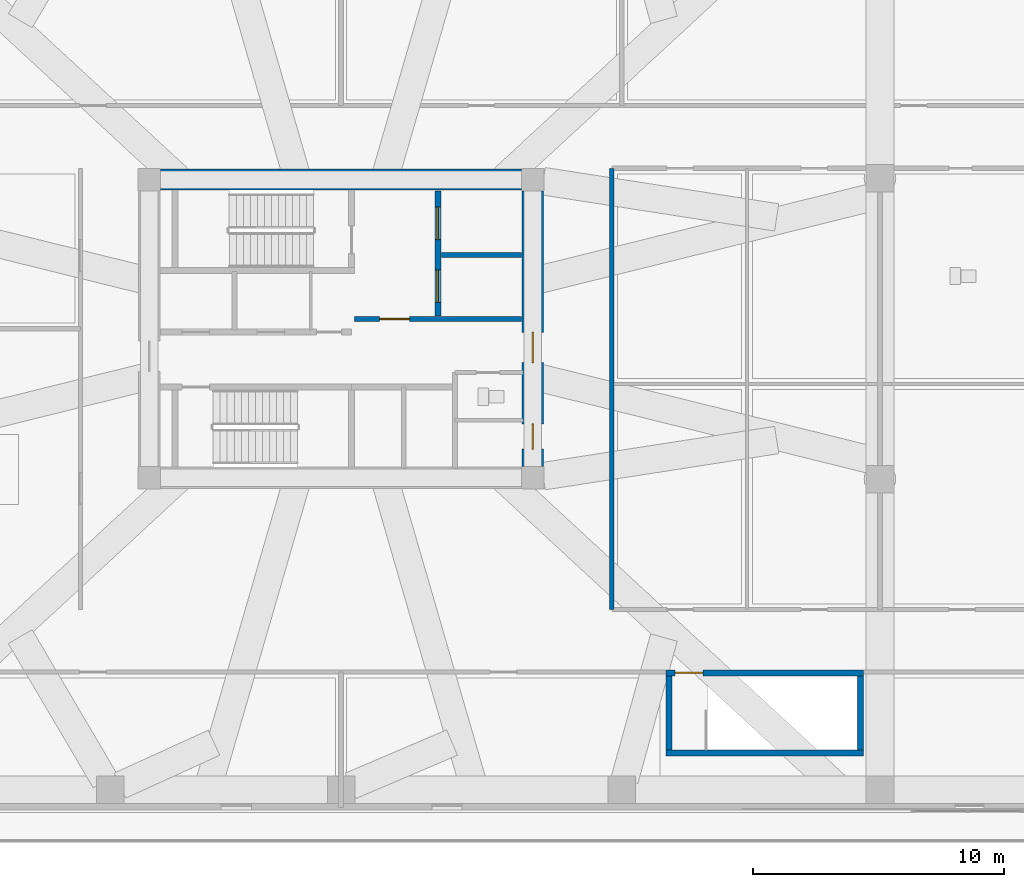
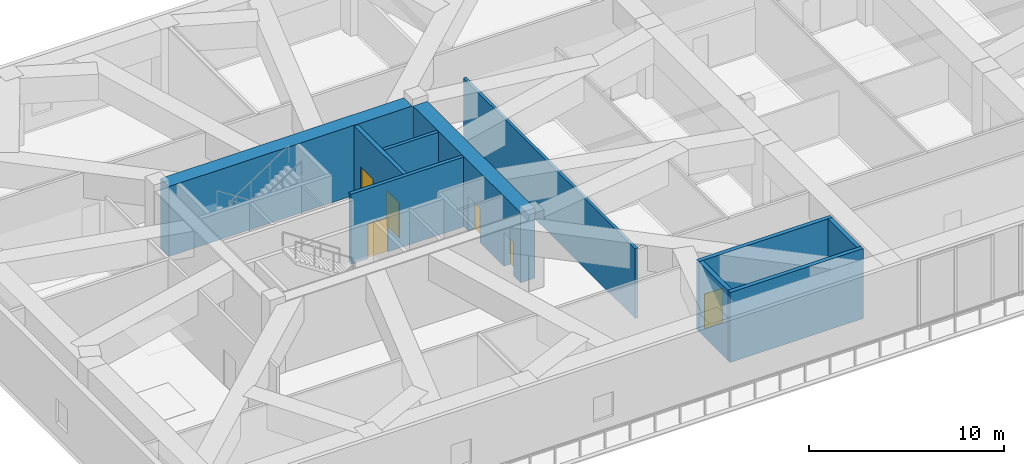
# One storey, part 6 of 21: 10 walls, 6 doors, 6 openings.
"""IFC4 building model written with IfcOpenShell, lengths in metres."""

from ifc_helpers import new_model, si_unit, direction, frame, frame_2d, origin, place, context, subcontext, project, spatial, rectangle, extrude, source, transform, mapped, material, layer, layer_set, type_object, type_shapes, element, fill, save


model = new_model("IFC4")

# Units and contexts
model_context = context("Model", 3, precision=1e-05, world=origin(), true_north=direction((0.0, 1.0)))
body_context = subcontext(model_context, "Body", "Model", "MODEL_VIEW")
ifc_project = project(units=[si_unit("LENGTHUNIT", "METRE"), si_unit("AREAUNIT", "SQUARE_METRE"), si_unit("VOLUMEUNIT", "CUBIC_METRE"), si_unit("PLANEANGLEUNIT", "RADIAN"), si_unit("MASSUNIT", "GRAM", prefix="KILO")], contexts=[model_context])

# Site, building, storey
site_placement = place(None, origin())
site = spatial("IfcSite", under=ifc_project, at=site_placement, CompositionType="ELEMENT")
building_placement = place(site_placement, origin())
building = spatial("IfcBuilding", under=site, at=building_placement, Name="Norrkilde Senior Care Towers", CompositionType="ELEMENT")
storey_placement = place(building_placement, frame((0.0, 0.0, 16.800048828125)))
storey = spatial("IfcBuildingStorey", under=building, at=storey_placement, Name="L04", CompositionType="ELEMENT", Elevation=16.800048828125)

# Wall
ifc_material_1 = material(Name="Concrete C60/75", Category="concrete")
ifc_layer_1 = layer(ifc_material_1, 0.85009765625)
ifc_layer_set_1 = layer_set([ifc_layer_1], Name="Concrete C60/75")
wall_type_1 = type_object("IfcWallType", Name="Core Shear Wall Z1 850", PredefinedType="SHEAR", material=ifc_layer_set_1)
shared_shape_1 = source(origin(), body_context, "Body", "SweptSolid", [
    extrude(rectangle(XDim=14.39990234375, YDim=0.85009765625, at=frame_2d((7.199951171875, 0.0))), origin(), (0.0, 0.0, 1.0), 4.3798828125),
])
wall_1_placement = place(storey_placement, frame((-35.199951171875, 5.949951171875, 0.0), z_axis=(0.0, 0.0, 1.0), x_axis=(1.0, 0.0, 0.0)))
element("IfcWall", 1, at=wall_1_placement, inside=storey, type_object=wall_type_1, Name="L04 Core W North Shear Wall", PredefinedType="SHEAR", context=body_context, shape_type="MappedRepresentation", body=[
    mapped(shared_shape_1, transform((0.0, 0.0, 0.0), x_axis=(1.0, 0.0, 0.0), y_axis=(0.0, 1.0, 0.0), z_axis=(0.0, 0.0, 1.0), scale=1.0)),
])

# Wall, openings, doors
shared_shape_2 = source(origin(), body_context, "Body", "SweptSolid", [
    extrude(rectangle(XDim=11.0, YDim=0.85009765625, at=frame_2d((5.5, 0.0))), origin(), (0.0, 0.0, 1.0), 4.3798828125),
])
type_shapes(wall_type_1, [shared_shape_1, shared_shape_2])
wall_2_placement = place(storey_placement, frame((-20.35009765625, 5.5, 0.0), z_axis=(0.0, 0.0, 1.0), x_axis=(0.0, -1.0, 0.0)))
wall_2 = element("IfcWall", 2, at=wall_2_placement, inside=storey, type_object=wall_type_1, Name="L04 Core W East Shear Wall", PredefinedType="SHEAR", context=body_context, shape_type="MappedRepresentation", body=[
    mapped(shared_shape_2, transform((0.0, 0.0, 0.0), x_axis=(1.0, 0.0, 0.0), y_axis=(0.0, 1.0, 0.0), z_axis=(0.0, 0.0, 1.0), scale=1.0)),
])
opening_1_placement = place(wall_2_placement, frame((5.64990234375, 0.0, 0.0)))
opening_1 = element("IfcOpeningElement", 3, at=opening_1_placement, cuts=wall_2, Name="Opening D-04", PredefinedType="OPENING", context=body_context, shape_type="SweptSolid", body=[
    extrude(rectangle(XDim=1.199951171875, YDim=2.14990234375, at=frame_2d((0.60009765625, 1.074951171875))), frame((0.0, 0.43505859375, 0.0), z_axis=(0.0, -1.0, 0.0), x_axis=(1.0, 0.0, 0.0)), (0.0, 0.0, 1.0), 0.8701171875),
])
opening_2_placement = place(wall_2_placement, frame((9.300048828125, 0.0, 0.0)))
opening_2 = element("IfcOpeningElement", 4, at=opening_2_placement, cuts=wall_2, Name="Opening D-10", PredefinedType="OPENING", context=body_context, shape_type="SweptSolid", body=[
    extrude(rectangle(XDim=1.0, YDim=2.10009765625, at=frame_2d((0.5, 1.050048828125))), frame((0.0, 0.43505859375, 0.0), z_axis=(0.0, -1.0, 0.0), x_axis=(1.0, 0.0, 0.0)), (0.0, 0.0, 1.0), 0.8701171875),
])
ifc_material_2 = material(Name="Galvanised Painted Steel", Category="steel")
door_type_1 = type_object("IfcDoorType", Name="Firefighting Lobby Fire Door 1200x2150", OperationType="NOTDEFINED", PredefinedType="DOOR", material=ifc_material_2)
shared_shape_3 = source(origin(), body_context, "Body", "SweptSolid", [
    extrude(rectangle(XDim=1.199951171875, YDim=2.14990234375, at=frame_2d((0.60009765625, 1.074951171875))), frame((0.0, 0.02490234375, 0.0), z_axis=(0.0, -1.0, 0.0), x_axis=(1.0, 0.0, 0.0)), (0.0, 0.0, 1.0), 0.050048828125),
])
type_shapes(door_type_1, [shared_shape_3])
door_1_placement = place(opening_1_placement, frame((1.199951171875, 0.0, 0.0), z_axis=(0.0, 0.0, 1.0), x_axis=(-1.0, 0.0, 0.0)))
door_1 = element("IfcDoor", 5, at=door_1_placement, inside=storey, type_object=door_type_1, Name="L04 Core W East Portal Door", OperationType="SINGLE_SWING_RIGHT", OverallHeight=2.14990234375, OverallWidth=1.199951171875, PredefinedType="DOOR", context=body_context, shape_type="MappedRepresentation", body=[
    mapped(shared_shape_3, transform((0.0, 0.0, 0.0), x_axis=(1.0, 0.0, 0.0), y_axis=(0.0, 1.0, 0.0), z_axis=(0.0, 0.0, 1.0), scale=1.0)),
])
fill(opening_1, door_1)
door_type_2 = type_object("IfcDoorType", Name="Plant and Riser Rated Door 1000x2100", OperationType="NOTDEFINED", PredefinedType="DOOR", material=ifc_material_2)
shared_shape_4 = source(origin(), body_context, "Body", "SweptSolid", [
    extrude(rectangle(XDim=1.0, YDim=2.10009765625, at=frame_2d((0.5, 1.050048828125))), frame((0.0, 0.02490234375, 0.0), z_axis=(0.0, -1.0, 0.0), x_axis=(1.0, 0.0, 0.0)), (0.0, 0.0, 1.0), 0.050048828125),
])
type_shapes(door_type_2, [shared_shape_4])
door_2_placement = place(opening_2_placement, frame((1.0, 0.0, 0.0), z_axis=(0.0, 0.0, 1.0), x_axis=(-1.0, 0.0, 0.0)))
door_2 = element("IfcDoor", 6, at=door_2_placement, inside=storey, type_object=door_type_2, Name="L04 Ventilation Riser W Door", OperationType="SINGLE_SWING_RIGHT", OverallHeight=2.10009765625, OverallWidth=1.0, PredefinedType="DOOR", context=body_context, shape_type="MappedRepresentation", body=[
    mapped(shared_shape_4, transform((0.0, 0.0, 0.0), x_axis=(1.0, 0.0, 0.0), y_axis=(0.0, 1.0, 0.0), z_axis=(0.0, 0.0, 1.0), scale=1.0)),
])
fill(opening_2, door_2)

ifc_material_3 = material(Name="Concrete C45/55", Category="concrete")
ifc_layer_2 = layer(ifc_material_3, 0.239990234375)
ifc_layer_set_2 = layer_set([ifc_layer_2], Name="Concrete C45/55")
wall_type_2 = type_object("IfcWallType", Name="Lift and Plant Rated Enclosure Partition 240", PredefinedType="PARTITIONING", material=ifc_layer_set_2)
shared_shape_5 = source(origin(), body_context, "Body", "SweptSolid", [
    extrude(rectangle(XDim=5.0, YDim=0.239990234375, at=frame_2d((2.5, 0.0))), origin(), (0.0, 0.0, 1.0), 4.364990234375),
])
type_shapes(wall_type_2, [shared_shape_5])
wall_3_placement = place(storey_placement, frame((-24.139892578125, 0.5, 0.0), z_axis=(0.0, 0.0, 1.0), x_axis=(0.0, 1.0, 0.0)))
wall_3 = element("IfcWall", 7, at=wall_3_placement, inside=storey, type_object=wall_type_2, Name="WL-INT-L04-W-FFLE", PredefinedType="PARTITIONING", context=body_context, shape_type="MappedRepresentation", body=[
    mapped(shared_shape_5, transform((0.0, 0.0, 0.0), x_axis=(1.0, 0.0, 0.0), y_axis=(0.0, 1.0, 0.0), z_axis=(0.0, 0.0, 1.0), scale=1.0)),
])
opening_3_placement = place(wall_3_placement, frame((3.050048828125, 0.0, 0.0)))
opening_3 = element("IfcOpeningElement", 8, at=opening_3_placement, cuts=wall_3, Name="Opening LD-02", PredefinedType="OPENING", context=body_context, shape_type="SweptSolid", body=[
    extrude(rectangle(XDim=1.300048828125, YDim=2.199951171875, at=frame_2d((0.64990234375, 1.10009765625))), frame((0.0, 0.1298828125, 0.0), z_axis=(0.0, -1.0, 0.0), x_axis=(1.0, 0.0, 0.0)), (0.0, 0.0, 1.0), 0.260009765625),
])
opening_4_placement = place(wall_3_placement, frame((0.550048828125, 0.0, 0.0)))
opening_4 = element("IfcOpeningElement", 9, at=opening_4_placement, cuts=wall_3, Name="Opening LD-02", PredefinedType="OPENING", context=body_context, shape_type="SweptSolid", body=[
    extrude(rectangle(XDim=1.300048828125, YDim=2.199951171875, at=frame_2d((0.64990234375, 1.10009765625))), frame((0.0, 0.1298828125, 0.0), z_axis=(0.0, -1.0, 0.0), x_axis=(1.0, 0.0, 0.0)), (0.0, 0.0, 1.0), 0.260009765625),
])
ifc_material_4 = material(Name="Stainless Steel", Category="steel")
door_type_3 = type_object("IfcDoorType", Name="Stretcher and FFL Landing Sliding Door 1300x2200", OperationType="NOTDEFINED", PredefinedType="DOOR", material=ifc_material_4)
shared_shape_6 = source(origin(), body_context, "Body", "SweptSolid", [
    extrude(rectangle(XDim=1.300048828125, YDim=2.199951171875, at=frame_2d((0.64990234375, 1.10009765625))), frame((0.0, 0.02490234375, 0.0), z_axis=(0.0, -1.0, 0.0), x_axis=(1.0, 0.0, 0.0)), (0.0, 0.0, 1.0), 0.050048828125),
])
type_shapes(door_type_3, [shared_shape_6])
door_3_placement = place(opening_3_placement, origin())
door_3 = element("IfcDoor", 10, at=door_3_placement, inside=storey, type_object=door_type_3, Name="L04 Firefighting Lift W1 Landing Door", OperationType="SLIDING_TO_LEFT", OverallHeight=2.199951171875, OverallWidth=1.300048828125, PredefinedType="DOOR", context=body_context, shape_type="MappedRepresentation", body=[
    mapped(shared_shape_6, transform((0.0, 0.0, 0.0), x_axis=(1.0, 0.0, 0.0), y_axis=(0.0, 1.0, 0.0), z_axis=(0.0, 0.0, 1.0), scale=1.0)),
])
fill(opening_3, door_3)
door_4_placement = place(opening_4_placement, origin())
door_4 = element("IfcDoor", 11, at=door_4_placement, inside=storey, type_object=door_type_3, Name="L04 Stretcher Lift W1 Landing Door", OperationType="SLIDING_TO_RIGHT", OverallHeight=2.199951171875, OverallWidth=1.300048828125, PredefinedType="DOOR", context=body_context, shape_type="MappedRepresentation", body=[
    mapped(shared_shape_6, transform((0.0, 0.0, 0.0), x_axis=(1.0, 0.0, 0.0), y_axis=(0.0, 1.0, 0.0), z_axis=(0.0, 0.0, 1.0), scale=1.0)),
])
fill(opening_4, door_4)

# Wall
ifc_layer_3 = layer(ifc_material_3, 0.199951171875)
ifc_layer_set_3 = layer_set([ifc_layer_3], Name="Concrete C45/55")
wall_type_3 = type_object("IfcWallType", Name="Shaft Division and Plant Partition 200", PredefinedType="PARTITIONING", material=ifc_layer_set_3)
shared_shape_7 = source(origin(), body_context, "Body", "SweptSolid", [
    extrude(rectangle(XDim=3.199951171875, YDim=0.199951171875, at=frame_2d((1.60009765625, 0.0))), origin(), (0.0, 0.0, 1.0), 4.364990234375),
])
type_shapes(wall_type_3, [shared_shape_7])
wall_4_placement = place(storey_placement, frame((-24.0, 2.949951171875, 0.0), z_axis=(0.0, 0.0, 1.0), x_axis=(1.0, 0.0, 0.0)))
element("IfcWall", 12, at=wall_4_placement, inside=storey, type_object=wall_type_3, Name="WL-INT-L04-W-FFLDIV", PredefinedType="PARTITIONING", context=body_context, shape_type="MappedRepresentation", body=[
    mapped(shared_shape_7, transform((0.0, 0.0, 0.0), x_axis=(1.0, 0.0, 0.0), y_axis=(0.0, 1.0, 0.0), z_axis=(0.0, 0.0, 1.0), scale=1.0)),
])

# Wall, opening, door
ifc_layer_4 = layer(ifc_material_3, 0.2099609375)
ifc_layer_set_4 = layer_set([ifc_layer_4], Name="Concrete C45/55")
wall_type_4 = type_object("IfcWallType", Name="Firefighting Lobby Wall 210", PredefinedType="PARTITIONING", material=ifc_layer_set_4)
shared_shape_8 = source(origin(), body_context, "Body", "SweptSolid", [
    extrude(rectangle(XDim=6.659912109375, YDim=0.2099609375, at=frame_2d((3.330078125, 0.0))), origin(), (0.0, 0.0, 1.0), 4.364990234375),
])
type_shapes(wall_type_4, [shared_shape_8])
wall_5_placement = place(storey_placement, frame((-27.4599609375, 0.389892578125, 0.0), z_axis=(0.0, 0.0, 1.0), x_axis=(1.0, 0.0, 0.0)))
wall_5 = element("IfcWall", 13, at=wall_5_placement, inside=storey, type_object=wall_type_4, Name="WL-INT-L04-W-FFLS", PredefinedType="PARTITIONING", context=body_context, shape_type="MappedRepresentation", body=[
    mapped(shared_shape_8, transform((0.0, 0.0, 0.0), x_axis=(1.0, 0.0, 0.0), y_axis=(0.0, 1.0, 0.0), z_axis=(0.0, 0.0, 1.0), scale=1.0)),
])
opening_5_placement = place(wall_5_placement, frame((1.0, 0.0, 0.0)))
opening_5 = element("IfcOpeningElement", 14, at=opening_5_placement, cuts=wall_5, Name="Opening D-04", PredefinedType="OPENING", context=body_context, shape_type="SweptSolid", body=[
    extrude(rectangle(XDim=1.199951171875, YDim=2.14990234375, at=frame_2d((0.60009765625, 1.074951171875))), frame((0.0, 0.114990234375, 0.0), z_axis=(0.0, -1.0, 0.0), x_axis=(1.0, 0.0, 0.0)), (0.0, 0.0, 1.0), 0.22998046875),
])
door_5_placement = place(opening_5_placement, frame((1.199951171875, 0.0, 0.0), z_axis=(0.0, 0.0, 1.0), x_axis=(-1.0, 0.0, 0.0)))
door_5 = element("IfcDoor", 15, at=door_5_placement, inside=storey, type_object=door_type_1, Name="L04 Firefighting Lobby W Door", OperationType="SINGLE_SWING_LEFT", OverallHeight=2.14990234375, OverallWidth=1.199951171875, PredefinedType="DOOR", context=body_context, shape_type="MappedRepresentation", body=[
    mapped(shared_shape_3, transform((0.0, 0.0, 0.0), x_axis=(1.0, 0.0, 0.0), y_axis=(0.0, 1.0, 0.0), z_axis=(0.0, 0.0, 1.0), scale=1.0)),
])
fill(opening_5, door_5)

ifc_layer_5 = layer(ifc_material_3, 0.239990234375)
ifc_layer_set_5 = layer_set([ifc_layer_5], Name="Concrete C45/55")
wall_type_5 = type_object("IfcWallType", Name="Shaft and Stair Enclosure Wall 240", PredefinedType="PARTITIONING", material=ifc_layer_set_5)
shared_shape_9 = source(origin(), body_context, "Body", "SweptSolid", [
    extrude(rectangle(XDim=7.880126953125, YDim=0.239990234375, at=frame_2d((3.93994140625, 0.0))), origin(), (0.0, 0.0, 1.0), 4.3798828125),
])
wall_6_placement = place(storey_placement, frame((-15.0400390625, -13.72998046875, 0.0), z_axis=(0.0, 0.0, 1.0), x_axis=(1.0, 0.0, 0.0)))
wall_6 = element("IfcWall", 16, at=wall_6_placement, inside=storey, type_object=wall_type_5, Name="WL-INT-L04-STP1-N", PredefinedType="PARTITIONING", context=body_context, shape_type="MappedRepresentation", body=[
    mapped(shared_shape_9, transform((0.0, 0.0, 0.0), x_axis=(1.0, 0.0, 0.0), y_axis=(0.0, 1.0, 0.0), z_axis=(0.0, 0.0, 1.0), scale=1.0)),
])
opening_6_placement = place(wall_6_placement, frame((0.3701171875, 0.0, 0.0)))
opening_6 = element("IfcOpeningElement", 17, at=opening_6_placement, cuts=wall_6, Name="Opening D-03", PredefinedType="OPENING", context=body_context, shape_type="SweptSolid", body=[
    extrude(rectangle(XDim=1.10009765625, YDim=2.14990234375, at=frame_2d((0.550048828125, 1.074951171875))), frame((0.0, 0.1298828125, 0.0), z_axis=(0.0, -1.0, 0.0), x_axis=(1.0, 0.0, 0.0)), (0.0, 0.0, 1.0), 0.260009765625),
])
door_type_4 = type_object("IfcDoorType", Name="Stairwell Protected Fire Door 1100x2150", OperationType="NOTDEFINED", PredefinedType="DOOR", material=ifc_material_2)
shared_shape_10 = source(origin(), body_context, "Body", "SweptSolid", [
    extrude(rectangle(XDim=1.10009765625, YDim=2.14990234375, at=frame_2d((0.550048828125, 1.074951171875))), frame((0.0, 0.02490234375, 0.0), z_axis=(0.0, -1.0, 0.0), x_axis=(1.0, 0.0, 0.0)), (0.0, 0.0, 1.0), 0.050048828125),
])
type_shapes(door_type_4, [shared_shape_10])
door_6_placement = place(opening_6_placement, origin())
door_6 = element("IfcDoor", 18, at=door_6_placement, inside=storey, type_object=door_type_4, Name="L04 Podium Stair P1 Door", OperationType="SINGLE_SWING_LEFT", OverallHeight=2.14990234375, OverallWidth=1.10009765625, PredefinedType="DOOR", context=body_context, shape_type="MappedRepresentation", body=[
    mapped(shared_shape_10, transform((0.0, 0.0, 0.0), x_axis=(1.0, 0.0, 0.0), y_axis=(0.0, 1.0, 0.0), z_axis=(0.0, 0.0, 1.0), scale=1.0)),
])
fill(opening_6, door_6)

# Walls
wall_7_placement = place(storey_placement, frame((-15.0400390625, -16.919921875, 0.0), z_axis=(0.0, 0.0, 1.0), x_axis=(1.0, 0.0, 0.0)))
element("IfcWall", 19, at=wall_7_placement, inside=storey, type_object=wall_type_5, Name="WL-INT-L04-STP1-S", PredefinedType="PARTITIONING", context=body_context, shape_type="MappedRepresentation", body=[
    mapped(shared_shape_9, transform((0.0, 0.0, 0.0), x_axis=(1.0, 0.0, 0.0), y_axis=(0.0, 1.0, 0.0), z_axis=(0.0, 0.0, 1.0), scale=1.0)),
])
shared_shape_11 = source(origin(), body_context, "Body", "SweptSolid", [
    extrude(rectangle(XDim=2.949951171875, YDim=0.239990234375, at=frame_2d((1.47509765625, 0.0))), origin(), (0.0, 0.0, 1.0), 4.3798828125),
])
type_shapes(wall_type_5, [shared_shape_9, shared_shape_11])
for number, where, z_axis, x_axis, name in (
    (20, (-14.919921875, -16.800048828125, 0.0), (0.0, 0.0, 1.0), (0.0, 1.0, 0.0), "WL-INT-L04-STP1-W"),
    (21, (-7.280029296875, -16.800048828125, 0.0), (0.0, 0.0, 1.0), (0.0, 1.0, 0.0), "WL-INT-L04-STP1-E"),
):
    element("IfcWall", number, at=place(storey_placement, frame(where, z_axis=z_axis, x_axis=x_axis)), inside=storey, type_object=wall_type_5, Name=name, PredefinedType="PARTITIONING", context=body_context, shape_type="MappedRepresentation", body=[
        mapped(shared_shape_11, transform((0.0, 0.0, 0.0), x_axis=(1.0, 0.0, 0.0), y_axis=(0.0, 1.0, 0.0), z_axis=(0.0, 0.0, 1.0), scale=1.0)),
    ])
ifc_material_5 = material(Name="Gypsum Acoustic Board")
ifc_layer_6 = layer(ifc_material_5, 0.1650390625)
ifc_layer_set_6 = layer_set([ifc_layer_6], Name="Gypsum Acoustic Board")
wall_type_6 = type_object("IfcWallType", Name="Corridor Rated Partition 165", PredefinedType="PARTITIONING", material=ifc_layer_set_6)
shared_shape_12 = source(origin(), body_context, "Body", "SweptSolid", [
    extrude(rectangle(XDim=17.599853515625, YDim=0.1650390625, at=frame_2d((8.7998046875, 0.0))), origin(), (0.0, 0.0, 1.0), 4.364990234375),
])
type_shapes(wall_type_6, [shared_shape_12])
wall_8_placement = place(storey_placement, frame((-17.199951171875, -11.199951171875, 0.0), z_axis=(0.0, 0.0, 1.0), x_axis=(0.0, 1.0, 0.0)))
element("IfcWall", 22, at=wall_8_placement, inside=storey, type_object=wall_type_6, Name="WL-INT-L04-POD-W", PredefinedType="PARTITIONING", context=body_context, shape_type="MappedRepresentation", body=[
    mapped(shared_shape_12, transform((0.0, 0.0, 0.0), x_axis=(1.0, 0.0, 0.0), y_axis=(0.0, 1.0, 0.0), z_axis=(0.0, 0.0, 1.0), scale=1.0)),
])

save(model, "model.ifc")
